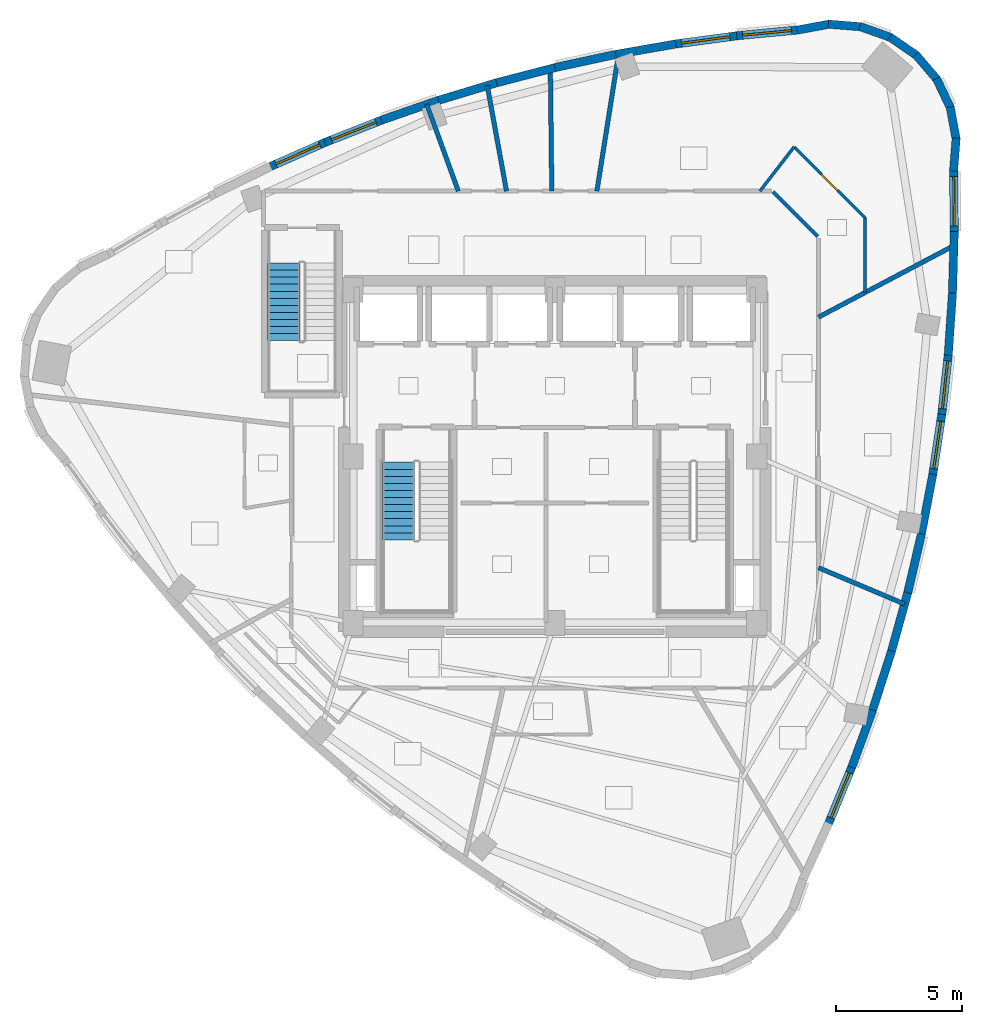
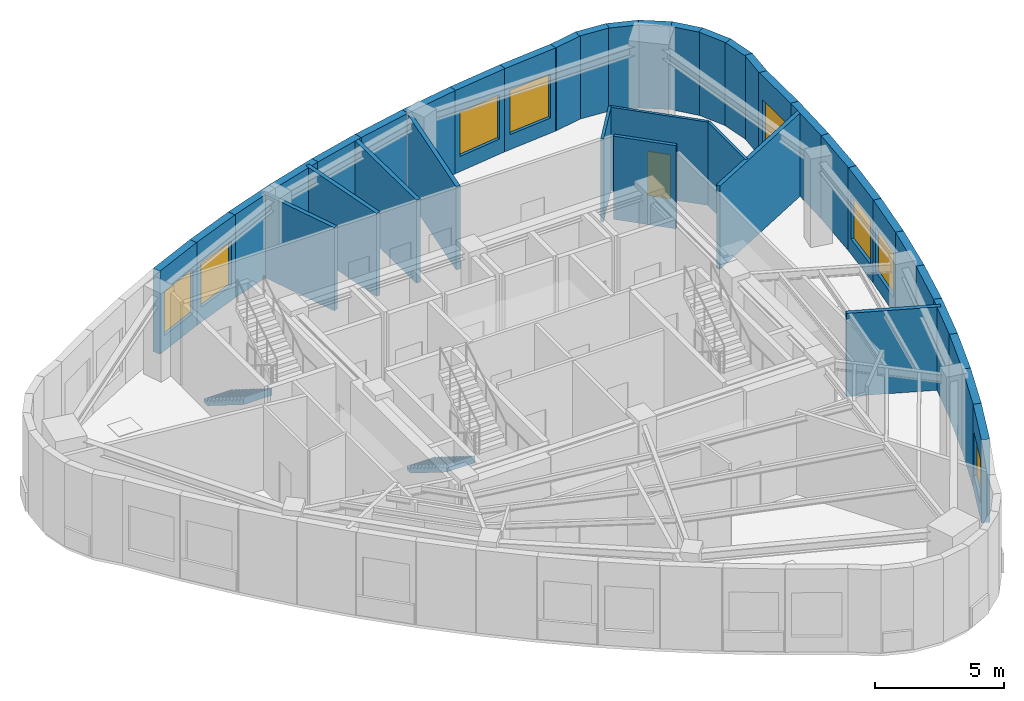
# One storey, part 5 of 9: 38 walls, 8 windows, 2 stair flights, 1 door, 9 openings, 2 elements without a shape of their own.
"""IFC4 building model written with IfcOpenShell, lengths in metres."""

from ifc_helpers import new_model, si_unit, direction, frame, frame_2d, origin, place, context, subcontext, project, spatial, polyline, rectangle, outline, extrude, material, layer, layer_set, type_object, element, fill, aggregate, save


model = new_model("IFC4")

# Units and contexts
model_context = context("Model", 3, precision=1e-05, world=origin(), true_north=direction((0.0, 1.0)))
body_context = subcontext(model_context, "Body", "Model", "MODEL_VIEW")
ifc_project = project(units=[si_unit("LENGTHUNIT", "METRE"), si_unit("AREAUNIT", "SQUARE_METRE"), si_unit("VOLUMEUNIT", "CUBIC_METRE"), si_unit("PLANEANGLEUNIT", "RADIAN"), si_unit("MASSUNIT", "GRAM", prefix="KILO")], contexts=[model_context])

# Site, building, storey
site_placement = place(None, origin())
site = spatial("IfcSite", under=ifc_project, at=site_placement, CompositionType="ELEMENT")
building_placement = place(site_placement, origin())
building = spatial("IfcBuilding", under=site, at=building_placement, Name="Ndelora Gate Hotel", CompositionType="ELEMENT")
storey_placement = place(building_placement, frame((0.0, 0.0, 260.199951171875)))
storey = spatial("IfcBuildingStorey", under=building, at=storey_placement, Name="L65", CompositionType="ELEMENT", Elevation=260.199951171875)

# Walls
ifc_material_1 = material(Name="Acoustic Double-Stud Gypsum Assembly", Category="gypsum")
ifc_layer_1 = layer(ifc_material_1, 0.179931640625)
ifc_layer_set_1 = layer_set([ifc_layer_1], Name="Acoustic Double-Stud Gypsum Assembly")
wall_type_1 = type_object("IfcWallType", Name="WL-ACOUST-180", PredefinedType="PARTITIONING", material=ifc_layer_set_1)
wall_1_placement = place(storey_placement, frame((-3.8291015625, 10.52001953125, 0.0), z_axis=(0.0, 0.0, 1.0), x_axis=(-0.342010906499, 0.939695982664, 0.0)))
element("IfcWall", 1, at=wall_1_placement, inside=storey, type_object=wall_type_1, Name="L65 Interior Wall IW-3", PredefinedType="PARTITIONING", context=body_context, shape_type="SweptSolid", body=[
    extrude(rectangle(XDim=3.6591796875, YDim=0.179931640625, at=frame_2d((1.82958984375, 0.0))), origin(), (0.0, 0.0, 1.0), 3.949951171875),
])
wall_2_placement = place(storey_placement, frame((10.449951171875, -4.4111328125, 0.0), z_axis=(0.0, 0.0, 1.0), x_axis=(0.921276821657, -0.388907466986, 0.0)))
element("IfcWall", 2, at=wall_2_placement, inside=storey, type_object=wall_type_1, Name="L65 Interior Wall IW-3", PredefinedType="PARTITIONING", context=body_context, shape_type="SweptSolid", body=[
    extrude(rectangle(XDim=3.708251953125, YDim=0.179931640625, at=frame_2d((1.85400390625, 0.0))), origin(), (0.0, 0.0, 1.0), 3.949951171875),
])
wall_3_placement = place(storey_placement, frame((10.449951171875, 5.52197265625, 0.0), z_axis=(0.0, 0.0, 1.0), x_axis=(0.884168007164, 0.467169064802, 0.0)))
element("IfcWall", 3, at=wall_3_placement, inside=storey, type_object=wall_type_1, Name="L65 Interior Wall IW-3", PredefinedType="PARTITIONING", context=body_context, shape_type="SweptSolid", body=[
    extrude(rectangle(XDim=6.072998046875, YDim=0.179931640625, at=frame_2d((3.03662109375, 0.0))), origin(), (0.0, 0.0, 1.0), 3.949951171875),
])
wall_4_placement = place(storey_placement, frame((1.664794921875, 10.52001953125, 0.0), z_axis=(0.0, 0.0, 1.0), x_axis=(0.156335854485, 0.987703953927, 0.0)))
element("IfcWall", 4, at=wall_4_placement, inside=storey, type_object=wall_type_1, Name="L65 Interior Wall IW-3", PredefinedType="PARTITIONING", context=body_context, shape_type="SweptSolid", body=[
    extrude(rectangle(XDim=5.5078125, YDim=0.179931640625, at=frame_2d((2.75390625, 0.0))), origin(), (0.0, 0.0, 1.0), 3.949951171875),
])
wall_5_placement = place(storey_placement, frame((-0.123291015625, 10.52001953125, 0.0), z_axis=(0.0, 0.0, 1.0), x_axis=(-0.011724824318, 0.999931261885, 0.0)))
element("IfcWall", 5, at=wall_5_placement, inside=storey, type_object=wall_type_1, Name="L65 Interior Wall IW-3", PredefinedType="PARTITIONING", context=body_context, shape_type="SweptSolid", body=[
    extrude(rectangle(XDim=4.8515625, YDim=0.179931640625, at=frame_2d((2.42578125, 0.0))), origin(), (0.0, 0.0, 1.0), 3.949951171875),
])
wall_6_placement = place(storey_placement, frame((-1.918701171875, 10.52001953125, 0.0), z_axis=(0.0, 0.0, 1.0), x_axis=(-0.179349915037, 0.983785346494, 0.0)))
element("IfcWall", 6, at=wall_6_placement, inside=storey, type_object=wall_type_1, Name="L65 Interior Wall IW-3", PredefinedType="PARTITIONING", context=body_context, shape_type="SweptSolid", body=[
    extrude(rectangle(XDim=4.25537109375, YDim=0.179931640625, at=frame_2d((2.127685546875, 0.0))), origin(), (0.0, 0.0, 1.0), 3.949951171875),
])

# Wall, opening, window
ifc_material_2 = material(Name="Clay Brick Masonry", Category="masonry")
ifc_layer_2 = layer(ifc_material_2, 0.330078125)
ifc_layer_set_2 = layer_set([ifc_layer_2], Name="Clay Brick Masonry")
wall_type_2 = type_object("IfcWallType", Name="WL-BRICK-330", PredefinedType="SOLIDWALL", material=ifc_layer_set_2)
wall_7_placement = place(storey_placement, frame((11.785888671875, -12.28515625, 0.0), z_axis=(0.0, 0.0, 1.0), x_axis=(-0.380073332614, -0.92495635672, 0.0)))
wall_7 = element("IfcWall", 7, at=wall_7_placement, inside=storey, type_object=wall_type_2, Name="L65 Tower Brick Pier-and-Spandrel Wall TWR-30", PredefinedType="SOLIDWALL", context=body_context, shape_type="SweptSolid", body=[
    extrude(rectangle(XDim=2.4873046875, YDim=0.330078125, at=frame_2d((1.24365234375, 0.0))), origin(), (0.0, 0.0, 1.0), 3.949951171875),
])
opening_1_placement = place(wall_7_placement, frame((0.278564453125, 0.0, 0.719970703125)))
opening_1 = element("IfcOpeningElement", 8, at=opening_1_placement, cuts=wall_7, Name="Opening W08", PredefinedType="OPENING", context=body_context, shape_type="SweptSolid", body=[
    extrude(rectangle(XDim=1.929931640625, YDim=2.10009765625, at=frame_2d((0.96484375, 1.050048828125))), frame((0.0, 0.175048828125, 0.0), z_axis=(0.0, -1.0, 0.0), x_axis=(1.0, 0.0, 0.0)), (0.0, 0.0, 1.0), 0.35009765625),
])
ifc_material_3 = material(Name="Insulated Low-E Double Glazing in Bronze Aluminium Frame", Category="aluminium")
window_type = type_object("IfcWindowType", Name="WN-PENT-2250", PartitioningType="SINGLE_PANEL", PredefinedType="WINDOW", material=ifc_material_3)
window_1_placement = place(opening_1_placement, origin())
window_1 = element("IfcWindow", 9, at=window_1_placement, inside=storey, type_object=window_type, Name="L65 Deep-Set Brick-Pier Window W08", OverallHeight=2.10009765625, OverallWidth=1.929931640625, PartitioningType="SINGLE_PANEL", PredefinedType="WINDOW", context=body_context, shape_type="SweptSolid", body=[
    extrude(rectangle(XDim=1.929931640625, YDim=2.10009765625, at=frame_2d((0.96484375, 1.050048828125))), frame((0.0, 0.030029296875, 0.0), z_axis=(0.0, -1.0, 0.0), x_axis=(1.0, 0.0, 0.0)), (0.0, 0.0, 1.0), 0.06005859375),
])
fill(opening_1, window_1)

# Walls
wall_8_placement = place(storey_placement, frame((12.616455078125, -10.010009765625, 0.0), z_axis=(0.0, 0.0, 1.0), x_axis=(-0.343296836241, -0.939226959913, 0.0)))
element("IfcWall", 10, at=wall_8_placement, inside=storey, type_object=wall_type_2, Name="L65 Tower Brick Pier-and-Spandrel Wall TWR-31", PredefinedType="SOLIDWALL", context=body_context, shape_type="SweptSolid", body=[
    extrude(rectangle(XDim=2.471923828125, YDim=0.330078125, at=frame_2d((1.23583984375, 0.0))), origin(), (0.0, 0.0, 1.0), 3.949951171875),
])
wall_9_placement = place(storey_placement, frame((13.3515625, -7.715087890625, 0.0), z_axis=(0.0, 0.0, 1.0), x_axis=(-0.305488679376, -0.952195708231, 0.0)))
element("IfcWall", 11, at=wall_9_placement, inside=storey, type_object=wall_type_2, Name="L65 Tower Brick Pier-and-Spandrel Wall TWR-32", PredefinedType="SOLIDWALL", context=body_context, shape_type="SweptSolid", body=[
    extrude(rectangle(XDim=2.4599609375, YDim=0.330078125, at=frame_2d((1.22998046875, 0.0))), origin(), (0.0, 0.0, 1.0), 3.949951171875),
])
wall_10_placement = place(storey_placement, frame((13.991943359375, -5.39990234375, 0.0), z_axis=(0.0, 0.0, 1.0), x_axis=(-0.266940258734, -0.963713078809, 0.0)))
element("IfcWall", 12, at=wall_10_placement, inside=storey, type_object=wall_type_2, Name="L65 Tower Brick Pier-and-Spandrel Wall TWR-33", PredefinedType="SOLIDWALL", context=body_context, shape_type="SweptSolid", body=[
    extrude(rectangle(XDim=2.451904296875, YDim=0.330078125, at=frame_2d((1.22607421875, 0.0))), origin(), (0.0, 0.0, 1.0), 3.949951171875),
])
wall_11_placement = place(storey_placement, frame((14.536865234375, -3.064453125, 0.0), z_axis=(0.0, 0.0, 1.0), x_axis=(-0.227677260712, -0.97373665072, 0.0)))
element("IfcWall", 13, at=wall_11_placement, inside=storey, type_object=wall_type_2, Name="L65 Tower Brick Pier-and-Spandrel Wall TWR-34", PredefinedType="SOLIDWALL", context=body_context, shape_type="SweptSolid", body=[
    extrude(rectangle(XDim=2.447998046875, YDim=0.330078125, at=frame_2d((1.22412109375, 0.0))), origin(), (0.0, 0.0, 1.0), 3.949951171875),
])
wall_12_placement = place(storey_placement, frame((14.98681640625, -0.708740234375, 0.0), z_axis=(0.0, 0.0, 1.0), x_axis=(-0.187978120827, -0.98217321593, 0.0)))
element("IfcWall", 14, at=wall_12_placement, inside=storey, type_object=wall_type_2, Name="L65 Tower Brick Pier-and-Spandrel Wall TWR-35", PredefinedType="SOLIDWALL", context=body_context, shape_type="SweptSolid", body=[
    extrude(rectangle(XDim=2.4482421875, YDim=0.330078125, at=frame_2d((1.22412109375, 0.0))), origin(), (0.0, 0.0, 1.0), 3.949951171875),
])

# Wall, opening, window
wall_13_placement = place(storey_placement, frame((15.341796875, 1.6669921875, 0.0), z_axis=(0.0, 0.0, 1.0), x_axis=(-0.148150573485, -0.988964816147, 0.0)))
wall_13 = element("IfcWall", 15, at=wall_13_placement, inside=storey, type_object=wall_type_2, Name="L65 Tower Brick Pier-and-Spandrel Wall TWR-36", PredefinedType="SOLIDWALL", context=body_context, shape_type="SweptSolid", body=[
    extrude(rectangle(XDim=2.4521484375, YDim=0.330078125, at=frame_2d((1.22607421875, 0.0))), origin(), (0.0, 0.0, 1.0), 3.949951171875),
])
opening_2_placement = place(wall_13_placement, frame((0.281005859375, 0.0, 0.719970703125)))
opening_2 = element("IfcOpeningElement", 16, at=opening_2_placement, cuts=wall_13, Name="Opening W08", PredefinedType="OPENING", context=body_context, shape_type="SweptSolid", body=[
    extrude(rectangle(XDim=1.889892578125, YDim=2.10009765625, at=frame_2d((0.94482421875, 1.050048828125))), frame((0.0, 0.175048828125, 0.0), z_axis=(0.0, -1.0, 0.0), x_axis=(1.0, 0.0, 0.0)), (0.0, 0.0, 1.0), 0.35009765625),
])
window_2_placement = place(opening_2_placement, origin())
window_2 = element("IfcWindow", 17, at=window_2_placement, inside=storey, type_object=window_type, Name="L65 Deep-Set Brick-Pier Window W08", OverallHeight=2.10009765625, OverallWidth=1.889892578125, PartitioningType="SINGLE_PANEL", PredefinedType="WINDOW", context=body_context, shape_type="SweptSolid", body=[
    extrude(rectangle(XDim=1.889892578125, YDim=2.10009765625, at=frame_2d((0.94482421875, 1.050048828125))), frame((0.0, 0.030029296875, 0.0), z_axis=(0.0, -1.0, 0.0), x_axis=(1.0, 0.0, 0.0)), (0.0, 0.0, 1.0), 0.06005859375),
])
fill(opening_2, window_2)

wall_14_placement = place(storey_placement, frame((15.6015625, 4.06298828125, 0.0), z_axis=(0.0, 0.0, 1.0), x_axis=(-0.108274537778, -0.994121031097, 0.0)))
wall_14 = element("IfcWall", 18, at=wall_14_placement, inside=storey, type_object=wall_type_2, Name="L65 Tower Brick Pier-and-Spandrel Wall TWR-37", PredefinedType="SOLIDWALL", context=body_context, shape_type="SweptSolid", body=[
    extrude(rectangle(XDim=2.4599609375, YDim=0.330078125, at=frame_2d((1.22998046875, 0.0))), origin(), (0.0, 0.0, 1.0), 3.949951171875),
])
opening_3_placement = place(wall_14_placement, frame((0.280029296875, 0.0, 0.719970703125)))
opening_3 = element("IfcOpeningElement", 19, at=opening_3_placement, cuts=wall_14, Name="Opening W08", PredefinedType="OPENING", context=body_context, shape_type="SweptSolid", body=[
    extrude(rectangle(XDim=1.89990234375, YDim=2.10009765625, at=frame_2d((0.949951171875, 1.050048828125))), frame((0.0, 0.175048828125, 0.0), z_axis=(0.0, -1.0, 0.0), x_axis=(1.0, 0.0, 0.0)), (0.0, 0.0, 1.0), 0.35009765625),
])
window_3_placement = place(opening_3_placement, origin())
window_3 = element("IfcWindow", 20, at=window_3_placement, inside=storey, type_object=window_type, Name="L65 Deep-Set Brick-Pier Window W08", OverallHeight=2.10009765625, OverallWidth=1.89990234375, PartitioningType="SINGLE_PANEL", PredefinedType="WINDOW", context=body_context, shape_type="SweptSolid", body=[
    extrude(rectangle(XDim=1.89990234375, YDim=2.10009765625, at=frame_2d((0.949951171875, 1.050048828125))), frame((0.0, 0.030029296875, 0.0), z_axis=(0.0, -1.0, 0.0), x_axis=(1.0, 0.0, 0.0)), (0.0, 0.0, 1.0), 0.06005859375),
])
fill(opening_3, window_3)

# Walls
wall_15_placement = place(storey_placement, frame((15.76611328125, 6.47900390625, 0.0), z_axis=(0.0, 0.0, 1.0), x_axis=(-0.068354601344, -0.997661088985, 0.0)))
element("IfcWall", 21, at=wall_15_placement, inside=storey, type_object=wall_type_2, Name="L65 Tower Brick Pier-and-Spandrel Wall TWR-38", PredefinedType="SOLIDWALL", context=body_context, shape_type="SweptSolid", body=[
    extrude(rectangle(XDim=2.4716796875, YDim=0.330078125, at=frame_2d((1.23583984375, 0.0))), origin(), (0.0, 0.0, 1.0), 3.949951171875),
])
wall_16_placement = place(storey_placement, frame((15.835693359375, 8.91552734375, 0.0), z_axis=(0.0, 0.0, 1.0), x_axis=(-0.028856791584, -0.999583556077, 0.0)))
element("IfcWall", 22, at=wall_16_placement, inside=storey, type_object=wall_type_2, Name="L65 Tower Brick Pier-and-Spandrel Wall TWR-39", PredefinedType="SOLIDWALL", context=body_context, shape_type="SweptSolid", body=[
    extrude(rectangle(XDim=2.4873046875, YDim=0.330078125, at=frame_2d((1.24365234375, 0.0))), origin(), (0.0, 0.0, 1.0), 3.949951171875),
])

# Wall, opening, window
wall_17_placement = place(storey_placement, frame((15.810302734375, 11.371826171875, 0.0), z_axis=(0.0, 0.0, 1.0), x_axis=(0.009935219729, -0.999950644486, 0.0)))
wall_17 = element("IfcWall", 23, at=wall_17_placement, inside=storey, type_object=wall_type_2, Name="L65 Tower Brick Pier-and-Spandrel Wall TWR-40", PredefinedType="SOLIDWALL", context=body_context, shape_type="SweptSolid", body=[
    extrude(rectangle(XDim=2.506591796875, YDim=0.330078125, at=frame_2d((1.25341796875, 0.0))), origin(), (0.0, 0.0, 1.0), 3.949951171875),
])
opening_4_placement = place(wall_17_placement, frame((0.2783203125, 0.0, 0.719970703125)))
opening_4 = element("IfcOpeningElement", 24, at=opening_4_placement, cuts=wall_17, Name="Opening W08", PredefinedType="OPENING", context=body_context, shape_type="SweptSolid", body=[
    extrude(rectangle(XDim=1.949951171875, YDim=2.10009765625, at=frame_2d((0.97509765625, 1.050048828125))), frame((0.0, 0.175048828125, 0.0), z_axis=(0.0, -1.0, 0.0), x_axis=(1.0, 0.0, 0.0)), (0.0, 0.0, 1.0), 0.35009765625),
])
window_4_placement = place(opening_4_placement, origin())
window_4 = element("IfcWindow", 25, at=window_4_placement, inside=storey, type_object=window_type, Name="L65 Deep-Set Brick-Pier Window W08", OverallHeight=2.10009765625, OverallWidth=1.949951171875, PartitioningType="SINGLE_PANEL", PredefinedType="WINDOW", context=body_context, shape_type="SweptSolid", body=[
    extrude(rectangle(XDim=1.949951171875, YDim=2.10009765625, at=frame_2d((0.97509765625, 1.050048828125))), frame((0.0, 0.030029296875, 0.0), z_axis=(0.0, -1.0, 0.0), x_axis=(1.0, 0.0, 0.0)), (0.0, 0.0, 1.0), 0.06005859375),
])
fill(opening_4, window_4)

# Walls
for number, where, z_axis, x_axis, name in (
    (26, (15.910888671875, 12.62109375, 0.0), (0.0, 0.0, 1.0), (-0.078501590144, -0.996913988439, 0.0), "L65 Tower Brick Pier-and-Spandrel Wall TWR-41"),
    (27, (15.67578125, 13.852783203125, 0.0), (0.0, 0.0, 1.0), (0.182297236005, -0.983243468193, 0.0), "L65 Tower Brick Pier-and-Spandrel Wall TWR-42"),
    (28, (15.130126953125, 14.981689453125, 0.0), (0.0, 0.0, 1.0), (0.430726118159, -0.902482692984, 0.0), "L65 Tower Brick Pier-and-Spandrel Wall TWR-43"),
    (29, (14.31103515625, 15.930908203125, 0.0), (0.0, 0.0, 1.0), (0.649463279453, -0.760392956728, 0.0), "L65 Tower Brick Pier-and-Spandrel Wall TWR-44"),
):
    element("IfcWall", number, at=place(storey_placement, frame(where, z_axis=z_axis, x_axis=x_axis)), inside=storey, type_object=wall_type_2, Name=name, PredefinedType="SOLIDWALL", context=body_context, shape_type="SweptSolid", body=[
        extrude(rectangle(XDim=1.302978515625, YDim=0.330078125, at=frame_2d((0.6513671875, 0.0))), origin(), (0.0, 0.0, 1.0), 3.949951171875),
    ])
wall_18_placement = place(storey_placement, frame((13.27392578125, 16.635986328125, 0.0), z_axis=(0.0, 0.0, 1.0), x_axis=(0.824069252703, -0.566489070283, 0.0)))
element("IfcWall", 30, at=wall_18_placement, inside=storey, type_object=wall_type_2, Name="L65 Tower Brick Pier-and-Spandrel Wall TWR-45", PredefinedType="SOLIDWALL", context=body_context, shape_type="SweptSolid", body=[
    extrude(rectangle(XDim=1.30322265625, YDim=0.330078125, at=frame_2d((0.651611328125, 0.0))), origin(), (0.0, 0.0, 1.0), 3.949951171875),
])
wall_19_placement = place(storey_placement, frame((12.08984375, 17.04833984375, 0.0), z_axis=(0.0, 0.0, 1.0), x_axis=(0.942616169371, -0.333878356951, 0.0)))
element("IfcWall", 31, at=wall_19_placement, inside=storey, type_object=wall_type_2, Name="L65 Tower Brick Pier-and-Spandrel Wall TWR-46", PredefinedType="SOLIDWALL", context=body_context, shape_type="SweptSolid", body=[
    extrude(rectangle(XDim=1.302978515625, YDim=0.330078125, at=frame_2d((0.6513671875, 0.0))), origin(), (0.0, 0.0, 1.0), 3.949951171875),
])
wall_20_placement = place(storey_placement, frame((10.83935546875, 17.140380859375, 0.0), z_axis=(0.0, 0.0, 1.0), x_axis=(0.996912833542, -0.078516255123, 0.0)))
element("IfcWall", 32, at=wall_20_placement, inside=storey, type_object=wall_type_2, Name="L65 Tower Brick Pier-and-Spandrel Wall TWR-47", PredefinedType="SOLIDWALL", context=body_context, shape_type="SweptSolid", body=[
    extrude(rectangle(XDim=1.302734375, YDim=0.330078125, at=frame_2d((0.6513671875, 0.0))), origin(), (0.0, 0.0, 1.0), 3.949951171875),
])
wall_21_placement = place(storey_placement, frame((9.607421875, 16.905517578125, 0.0), z_axis=(0.0, 0.0, 1.0), x_axis=(0.983283247188, 0.182082552156, 0.0)))
element("IfcWall", 33, at=wall_21_placement, inside=storey, type_object=wall_type_2, Name="L65 Tower Brick Pier-and-Spandrel Wall TWR-48", PredefinedType="SOLIDWALL", context=body_context, shape_type="SweptSolid", body=[
    extrude(rectangle(XDim=1.30322265625, YDim=0.330078125, at=frame_2d((0.651611328125, 0.0))), origin(), (0.0, 0.0, 1.0), 3.949951171875),
])

# Wall, opening, window
wall_22_placement = place(storey_placement, frame((7.16162109375, 16.67529296875, 0.0), z_axis=(0.0, 0.0, 1.0), x_axis=(0.995517770217, 0.094574675167, 0.0)))
wall_22 = element("IfcWall", 34, at=wall_22_placement, inside=storey, type_object=wall_type_2, Name="L65 Tower Brick Pier-and-Spandrel Wall TWR-49", PredefinedType="SOLIDWALL", context=body_context, shape_type="SweptSolid", body=[
    extrude(rectangle(XDim=2.506591796875, YDim=0.330078125, at=frame_2d((1.25341796875, 0.0))), origin(), (0.0, 0.0, 1.0), 3.949951171875),
])
opening_5_placement = place(wall_22_placement, frame((0.2783203125, 0.0, 0.719970703125)))
opening_5 = element("IfcOpeningElement", 35, at=opening_5_placement, cuts=wall_22, Name="Opening W08", PredefinedType="OPENING", context=body_context, shape_type="SweptSolid", body=[
    extrude(rectangle(XDim=1.949951171875, YDim=2.10009765625, at=frame_2d((0.97509765625, 1.050048828125))), frame((0.0, 0.175048828125, 0.0), z_axis=(0.0, -1.0, 0.0), x_axis=(1.0, 0.0, 0.0)), (0.0, 0.0, 1.0), 0.35009765625),
])
window_5_placement = place(opening_5_placement, origin())
window_5 = element("IfcWindow", 36, at=window_5_placement, inside=storey, type_object=window_type, Name="L65 Deep-Set Brick-Pier Window W08", OverallHeight=2.10009765625, OverallWidth=1.949951171875, PartitioningType="SINGLE_PANEL", PredefinedType="WINDOW", context=body_context, shape_type="SweptSolid", body=[
    extrude(rectangle(XDim=1.949951171875, YDim=2.10009765625, at=frame_2d((0.97509765625, 1.050048828125))), frame((0.0, 0.030029296875, 0.0), z_axis=(0.0, -1.0, 0.0), x_axis=(1.0, 0.0, 0.0)), (0.0, 0.0, 1.0), 0.06005859375),
])
fill(opening_5, window_5)

wall_23_placement = place(storey_placement, frame((4.74609375, 16.349609375, 0.0), z_axis=(0.0, 0.0, 1.0), x_axis=(0.991089340553, 0.1331987952, 0.0)))
wall_23 = element("IfcWall", 37, at=wall_23_placement, inside=storey, type_object=wall_type_2, Name="L65 Tower Brick Pier-and-Spandrel Wall TWR-50", PredefinedType="SOLIDWALL", context=body_context, shape_type="SweptSolid", body=[
    extrude(rectangle(XDim=2.4873046875, YDim=0.330078125, at=frame_2d((1.24365234375, 0.0))), origin(), (0.0, 0.0, 1.0), 3.949951171875),
])
opening_6_placement = place(wall_23_placement, frame((0.278564453125, 0.0, 0.719970703125)))
opening_6 = element("IfcOpeningElement", 38, at=opening_6_placement, cuts=wall_23, Name="Opening W08", PredefinedType="OPENING", context=body_context, shape_type="SweptSolid", body=[
    extrude(rectangle(XDim=1.929931640625, YDim=2.10009765625, at=frame_2d((0.96484375, 1.050048828125))), frame((0.0, 0.175048828125, 0.0), z_axis=(0.0, -1.0, 0.0), x_axis=(1.0, 0.0, 0.0)), (0.0, 0.0, 1.0), 0.35009765625),
])
window_6_placement = place(opening_6_placement, origin())
window_6 = element("IfcWindow", 39, at=window_6_placement, inside=storey, type_object=window_type, Name="L65 Deep-Set Brick-Pier Window W08", OverallHeight=2.10009765625, OverallWidth=1.929931640625, PartitioningType="SINGLE_PANEL", PredefinedType="WINDOW", context=body_context, shape_type="SweptSolid", body=[
    extrude(rectangle(XDim=1.929931640625, YDim=2.10009765625, at=frame_2d((0.96484375, 1.050048828125))), frame((0.0, 0.030029296875, 0.0), z_axis=(0.0, -1.0, 0.0), x_axis=(1.0, 0.0, 0.0)), (0.0, 0.0, 1.0), 0.06005859375),
])
fill(opening_6, window_6)

# Walls
wall_24_placement = place(storey_placement, frame((2.36083984375, 15.93115234375, 0.0), z_axis=(0.0, 0.0, 1.0), x_axis=(0.985035078874, 0.172353977001, 0.0)))
element("IfcWall", 40, at=wall_24_placement, inside=storey, type_object=wall_type_2, Name="L65 Tower Brick Pier-and-Spandrel Wall TWR-51", PredefinedType="SOLIDWALL", context=body_context, shape_type="SweptSolid", body=[
    extrude(rectangle(XDim=2.471923828125, YDim=0.330078125, at=frame_2d((1.23583984375, 0.0))), origin(), (0.0, 0.0, 1.0), 3.949951171875),
])
wall_25_placement = place(storey_placement, frame((0.005615234375, 15.42041015625, 0.0), z_axis=(0.0, 0.0, 1.0), x_axis=(0.977358726748, 0.211589033857, 0.0)))
element("IfcWall", 41, at=wall_25_placement, inside=storey, type_object=wall_type_2, Name="L65 Tower Brick Pier-and-Spandrel Wall TWR-52", PredefinedType="SOLIDWALL", context=body_context, shape_type="SweptSolid", body=[
    extrude(rectangle(XDim=2.4599609375, YDim=0.330078125, at=frame_2d((1.22998046875, 0.0))), origin(), (0.0, 0.0, 1.0), 3.949951171875),
])
wall_26_placement = place(storey_placement, frame((-2.319580078125, 14.817138671875, 0.0), z_axis=(0.0, 0.0, 1.0), x_axis=(0.968064050208, 0.250703000969, 0.0)))
element("IfcWall", 42, at=wall_26_placement, inside=storey, type_object=wall_type_2, Name="L65 Tower Brick Pier-and-Spandrel Wall TWR-53", PredefinedType="SOLIDWALL", context=body_context, shape_type="SweptSolid", body=[
    extrude(rectangle(XDim=2.4521484375, YDim=0.330078125, at=frame_2d((1.22607421875, 0.0))), origin(), (0.0, 0.0, 1.0), 3.949951171875),
])
for number, where, z_axis, x_axis, name in (
    (43, (-4.614501953125, 14.12158203125, 0.0), (0.0, 0.0, 1.0), (0.957140082528, 0.289625382897, 0.0), "L65 Tower Brick Pier-and-Spandrel Wall TWR-54"),
    (44, (-6.879638671875, 13.33349609375, 0.0), (0.0, 0.0, 1.0), (0.944608408798, 0.328199564332, 0.0), "L65 Tower Brick Pier-and-Spandrel Wall TWR-55"),
):
    element("IfcWall", number, at=place(storey_placement, frame(where, z_axis=z_axis, x_axis=x_axis)), inside=storey, type_object=wall_type_2, Name=name, PredefinedType="SOLIDWALL", context=body_context, shape_type="SweptSolid", body=[
        extrude(rectangle(XDim=2.447998046875, YDim=0.330078125, at=frame_2d((1.22412109375, 0.0))), origin(), (0.0, 0.0, 1.0), 3.949951171875),
    ])

# Wall, opening, window
wall_27_placement = place(storey_placement, frame((-9.114501953125, 12.452880859375, 0.0), z_axis=(0.0, 0.0, 1.0), x_axis=(0.930535919143, 0.366200632421, 0.0)))
wall_27 = element("IfcWall", 45, at=wall_27_placement, inside=storey, type_object=wall_type_2, Name="L65 Tower Brick Pier-and-Spandrel Wall TWR-56", PredefinedType="SOLIDWALL", context=body_context, shape_type="SweptSolid", body=[
    extrude(rectangle(XDim=2.4521484375, YDim=0.330078125, at=frame_2d((1.22607421875, 0.0))), origin(), (0.0, 0.0, 1.0), 3.949951171875),
])
opening_7_placement = place(wall_27_placement, frame((0.281005859375, 0.0, 0.719970703125)))
opening_7 = element("IfcOpeningElement", 46, at=opening_7_placement, cuts=wall_27, Name="Opening W08", PredefinedType="OPENING", context=body_context, shape_type="SweptSolid", body=[
    extrude(rectangle(XDim=1.889892578125, YDim=2.10009765625, at=frame_2d((0.94482421875, 1.050048828125))), frame((0.0, 0.175048828125, 0.0), z_axis=(0.0, -1.0, 0.0), x_axis=(1.0, 0.0, 0.0)), (0.0, 0.0, 1.0), 0.35009765625),
])
window_7_placement = place(opening_7_placement, origin())
window_7 = element("IfcWindow", 47, at=window_7_placement, inside=storey, type_object=window_type, Name="L65 Deep-Set Brick-Pier Window W08", OverallHeight=2.10009765625, OverallWidth=1.889892578125, PartitioningType="SINGLE_PANEL", PredefinedType="WINDOW", context=body_context, shape_type="SweptSolid", body=[
    extrude(rectangle(XDim=1.889892578125, YDim=2.10009765625, at=frame_2d((0.94482421875, 1.050048828125))), frame((0.0, 0.030029296875, 0.0), z_axis=(0.0, -1.0, 0.0), x_axis=(1.0, 0.0, 0.0)), (0.0, 0.0, 1.0), 0.06005859375),
])
fill(opening_7, window_7)

wall_28_placement = place(storey_placement, frame((-11.3193359375, 11.479736328125, 0.0), z_axis=(0.0, 0.0, 1.0), x_axis=(0.915014789788, 0.403420295064, 0.0)))
wall_28 = element("IfcWall", 48, at=wall_28_placement, inside=storey, type_object=wall_type_2, Name="L65 Tower Brick Pier-and-Spandrel Wall TWR-57", PredefinedType="SOLIDWALL", context=body_context, shape_type="SweptSolid", body=[
    extrude(rectangle(XDim=2.4599609375, YDim=0.330078125, at=frame_2d((1.22998046875, 0.0))), origin(), (0.0, 0.0, 1.0), 3.949951171875),
])
opening_8_placement = place(wall_28_placement, frame((0.280029296875, 0.0, 0.719970703125)))
opening_8 = element("IfcOpeningElement", 49, at=opening_8_placement, cuts=wall_28, Name="Opening W08", PredefinedType="OPENING", context=body_context, shape_type="SweptSolid", body=[
    extrude(rectangle(XDim=1.89990234375, YDim=2.10009765625, at=frame_2d((0.949951171875, 1.050048828125))), frame((0.0, 0.175048828125, 0.0), z_axis=(0.0, -1.0, 0.0), x_axis=(1.0, 0.0, 0.0)), (0.0, 0.0, 1.0), 0.35009765625),
])
window_8_placement = place(opening_8_placement, origin())
window_8 = element("IfcWindow", 50, at=window_8_placement, inside=storey, type_object=window_type, Name="L65 Deep-Set Brick-Pier Window W08", OverallHeight=2.10009765625, OverallWidth=1.89990234375, PartitioningType="SINGLE_PANEL", PredefinedType="WINDOW", context=body_context, shape_type="SweptSolid", body=[
    extrude(rectangle(XDim=1.89990234375, YDim=2.10009765625, at=frame_2d((0.949951171875, 1.050048828125))), frame((0.0, 0.030029296875, 0.0), z_axis=(0.0, -1.0, 0.0), x_axis=(1.0, 0.0, 0.0)), (0.0, 0.0, 1.0), 0.06005859375),
])
fill(opening_8, window_8)

# Walls
ifc_material_4 = material(Name="Fire-Rated Gypsum Stud Partition", Category="gypsum")
ifc_layer_3 = layer(ifc_material_4, 0.14990234375)
ifc_layer_set_3 = layer_set([ifc_layer_3], Name="Fire-Rated Gypsum Stud Partition")
wall_type_3 = type_object("IfcWallType", Name="WL-PART-150", PredefinedType="PARTITIONING", material=ifc_layer_set_3)
wall_29_placement = place(storey_placement, frame((8.648193359375, 10.49169921875, 0.0), z_axis=(0.0, 0.0, 1.0), x_axis=(0.707106781187, -0.707106781187, 0.0)))
element("IfcWall", 51, at=wall_29_placement, inside=storey, type_object=wall_type_3, Name="L65 Interior Wall IW-5", PredefinedType="PARTITIONING", context=body_context, shape_type="SweptSolid", body=[
    extrude(rectangle(XDim=2.508056640625, YDim=0.14990234375, at=frame_2d((1.25390625, 0.0))), origin(), (0.0, 0.0, 1.0), 3.949951171875),
])
ifc_material_5 = material(Name="Moisture-Resistant Bathroom Tile Partition", Category="gypsum")
ifc_layer_4 = layer(ifc_material_5, 0.1201171875)
ifc_layer_set_4 = layer_set([ifc_layer_4], Name="Moisture-Resistant Bathroom Tile Partition")
wall_type_4 = type_object("IfcWallType", Name="WL-WET-120", PredefinedType="PARTITIONING", material=ifc_layer_set_4)
wall_30_placement = place(storey_placement, frame((8.1298828125, 10.52001953125, 0.0), z_axis=(0.0, 0.0, 1.0), x_axis=(0.611456914518, 0.79127772728, 0.0)))
element("IfcWall", 52, at=wall_30_placement, inside=storey, type_object=wall_type_4, Name="L65 Interior Wall IW-7", PredefinedType="PARTITIONING", context=body_context, shape_type="SweptSolid", body=[
    extrude(rectangle(XDim=2.21435546875, YDim=0.1201171875, at=frame_2d((1.107177734375, 0.0))), origin(), (0.0, 0.0, 1.0), 3.949951171875),
])

# Wall, opening, door
wall_31_placement = place(storey_placement, frame((9.48388671875, 12.272216796875, 0.0), z_axis=(0.0, 0.0, 1.0), x_axis=(0.70713743234, -0.707076128705, 0.0)))
wall_31 = element("IfcWall", 53, at=wall_31_placement, inside=storey, type_object=wall_type_4, Name="L65 Interior Wall IW-7", PredefinedType="PARTITIONING", context=body_context, shape_type="SweptSolid", body=[
    extrude(rectangle(XDim=3.982421875, YDim=0.1201171875, at=frame_2d((1.9912109375, 0.0))), origin(), (0.0, 0.0, 1.0), 3.949951171875),
])
opening_9_placement = place(wall_31_placement, frame((1.53125, 0.0, 0.0)))
opening_9 = element("IfcOpeningElement", 54, at=opening_9_placement, cuts=wall_31, Name="Opening D03", PredefinedType="OPENING", context=body_context, shape_type="SweptSolid", body=[
    extrude(rectangle(XDim=0.919921875, YDim=2.10009765625, at=frame_2d((0.4599609375, 1.050048828125))), frame((0.0, 0.070068359375, 0.0), z_axis=(0.0, -1.0, 0.0), x_axis=(1.0, 0.0, 0.0)), (0.0, 0.0, 1.0), 0.14013671875),
])
ifc_material_6 = material(Name="Moisture-Resistant Hardwood En-Suite Door", Category="wood")
door_type = type_object("IfcDoorType", Name="DR-BATH-920", OperationType="SINGLE_SWING_LEFT", PredefinedType="DOOR", material=ifc_material_6)
door_placement = place(opening_9_placement, origin())
door = element("IfcDoor", 55, at=door_placement, inside=storey, type_object=door_type, Name="L65 En-suite Bathroom 6804 Door", OperationType="SINGLE_SWING_LEFT", OverallHeight=2.10009765625, OverallWidth=0.919921875, PredefinedType="DOOR", context=body_context, shape_type="SweptSolid", body=[
    extrude(rectangle(XDim=0.919921875, YDim=2.10009765625, at=frame_2d((0.4599609375, 1.050048828125))), frame((0.0, 0.02490234375, 0.0), z_axis=(0.0, -1.0, 0.0), x_axis=(1.0, 0.0, 0.0)), (0.0, 0.0, 1.0), 0.050048828125),
])
fill(opening_9, door)

# Wall
wall_32_placement = place(storey_placement, frame((12.300048828125, 6.49951171875, 0.0), z_axis=(0.0, 0.0, 1.0), x_axis=(0.0, 1.0, 0.0)))
element("IfcWall", 56, at=wall_32_placement, inside=storey, type_object=wall_type_4, Name="L65 Interior Wall IW-7", PredefinedType="PARTITIONING", context=body_context, shape_type="SweptSolid", body=[
    extrude(rectangle(XDim=2.956787109375, YDim=0.1201171875, at=frame_2d((1.478515625, 0.0))), origin(), (0.0, 0.0, 1.0), 3.949951171875),
])

# Stair, stair flight
ifc_material_7 = material(Name="Precast concrete C40/50", Category="concrete")
stair_type = type_object("IfcStairType", Name="STR-DOG-CORE", PredefinedType="HALF_TURN_STAIR", material=ifc_material_7)
stair_1_placement = place(storey_placement, origin())
stair_1 = element("IfcStair", 57, at=stair_1_placement, inside=storey, type_object=stair_type, Name="L65 Protected Core Exit Stair ST4", PredefinedType="HALF_TURN_STAIR")
stair_flight_type = type_object("IfcStairFlightType", Name="STF-PRECAST", PredefinedType="STRAIGHT", material=ifc_material_7)
stair_flight_1_placement = place(storey_placement, frame((-6.2099609375, -0.22998046875, 0.0), z_axis=(0.0, 0.0, 1.0), x_axis=(0.0, -1.0, 0.0)))
stair_flight_1 = element("IfcStairFlight", 58, at=stair_flight_1_placement, type_object=stair_flight_type, Name="ST4 flight 1", NumberOfRisers=12, NumberOfTreads=11, PredefinedType="STRAIGHT", RiserHeight=0.175, TreadLength=0.28, context=body_context, shape_type="SweptSolid", body=[
    extrude(outline(polyline([(-0.00048828125, 0.0), (-0.00048828125, 0.175048828125), (0.0, 0.175048828125), (0.280029296875, 0.175048828125), (0.280029296875, 0.35009765625), (0.56005859375, 0.35009765625), (0.56005859375, 0.52490234375), (0.840087890625, 0.52490234375), (0.840087890625, 0.699951171875), (1.1201171875, 0.699951171875), (1.1201171875, 0.875), (1.39990234375, 0.875), (1.39990234375, 1.050048828125), (1.679931640625, 1.050048828125), (1.679931640625, 1.22509765625), (1.9599609375, 1.22509765625), (1.9599609375, 1.39990234375), (2.239990234375, 1.39990234375), (2.239990234375, 1.574951171875), (2.52001953125, 1.574951171875), (2.52001953125, 1.75), (2.800048828125, 1.75), (2.800048828125, 1.925048828125), (3.080078125, 1.925048828125), (3.080078125, 2.10009765625), (3.08056640625, 2.10009765625), (3.08056640625, 1.919921875), (3.080078125, 1.748291015625), (0.28271484375, 0.0), (-0.00048828125, 0.0)])), frame((0.0, 0.64013671875, 0.0), z_axis=(0.0, -1.0, 0.0), x_axis=(1.0, 0.0, 0.0)), (0.0, 0.0, 1.0), 1.280029296875),
])
aggregate(stair_1, [stair_flight_1])

stair_2_placement = place(storey_placement, origin())
stair_2 = element("IfcStair", 59, at=stair_2_placement, inside=storey, type_object=stair_type, Name="L65 Crown Observation Exit Stair ST6", PredefinedType="HALF_TURN_STAIR")
stair_flight_2_placement = place(storey_placement, frame((-10.75, 7.669921875, 0.0), z_axis=(0.0, 0.0, 1.0), x_axis=(0.0, -1.0, 0.0)))
stair_flight_2 = element("IfcStairFlight", 60, at=stair_flight_2_placement, type_object=stair_flight_type, Name="ST6 flight 1", NumberOfRisers=12, NumberOfTreads=11, PredefinedType="STRAIGHT", RiserHeight=0.175, TreadLength=0.28, context=body_context, shape_type="SweptSolid", body=[
    extrude(outline(polyline([(-0.00048828125, 0.0), (-0.00048828125, 0.175048828125), (0.0, 0.175048828125), (0.280029296875, 0.175048828125), (0.280029296875, 0.35009765625), (0.56005859375, 0.35009765625), (0.56005859375, 0.52490234375), (0.840087890625, 0.52490234375), (0.840087890625, 0.699951171875), (1.1201171875, 0.699951171875), (1.1201171875, 0.875), (1.39990234375, 0.875), (1.39990234375, 1.050048828125), (1.679931640625, 1.050048828125), (1.679931640625, 1.22509765625), (1.9599609375, 1.22509765625), (1.9599609375, 1.39990234375), (2.239990234375, 1.39990234375), (2.239990234375, 1.574951171875), (2.52001953125, 1.574951171875), (2.52001953125, 1.75), (2.800048828125, 1.75), (2.800048828125, 1.925048828125), (3.080078125, 1.925048828125), (3.080078125, 2.10009765625), (3.08056640625, 2.10009765625), (3.08056640625, 1.919921875), (3.080078125, 1.748291015625), (0.28271484375, 0.0), (-0.00048828125, 0.0)])), frame((0.0, 0.64013671875, 0.0), z_axis=(0.0, -1.0, 0.0), x_axis=(1.0, 0.0, 0.0)), (0.0, 0.0, 1.0), 1.280029296875),
])
aggregate(stair_2, [stair_flight_2])

save(model, "model.ifc")
